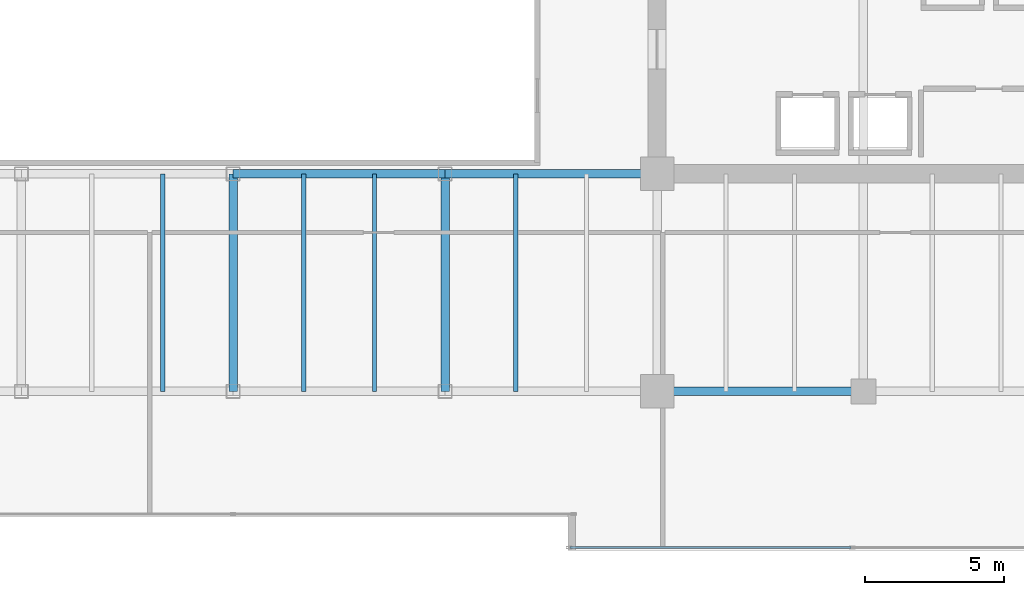
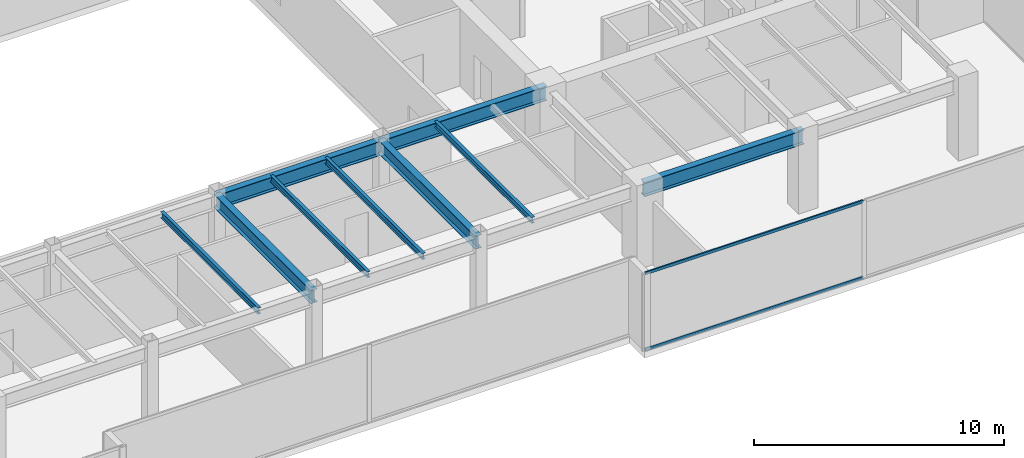
# One storey, part 11 of 30: 9 beams, 2 members, 1 element without a shape of its own.
"""IFC4 building model written with IfcOpenShell, lengths in metres."""

from ifc_helpers import new_model, si_unit, direction, frame, origin, origin_2d, place, context, subcontext, project, spatial, hollow_rectangle, i_section, extrude, source, transform, mapped, material, layer, layer_set, material_profile, profile_set, type_object, type_shapes, element, aggregate, save


model = new_model("IFC4")

# Units and contexts
model_context = context("Model", 3, precision=1e-05, world=origin(), true_north=direction((0.0, 1.0)))
body_context = subcontext(model_context, "Body", "Model", "MODEL_VIEW")
ifc_project = project(units=[si_unit("LENGTHUNIT", "METRE"), si_unit("AREAUNIT", "SQUARE_METRE"), si_unit("VOLUMEUNIT", "CUBIC_METRE"), si_unit("PLANEANGLEUNIT", "RADIAN"), si_unit("MASSUNIT", "GRAM", prefix="KILO")], contexts=[model_context])

# Site, building, storey
site_placement = place(None, origin())
site = spatial("IfcSite", under=ifc_project, at=site_placement, CompositionType="ELEMENT")
building_placement = place(site_placement, origin())
building = spatial("IfcBuilding", under=site, at=building_placement, Name="Haelvirn Gate Laboratories", CompositionType="ELEMENT")
storey_placement = place(building_placement, frame((0.0, 0.0, 121.5)))
storey = spatial("IfcBuildingStorey", under=building, at=storey_placement, Name="L29", CompositionType="ELEMENT", Elevation=121.5)

# Beams
ifc_material_1 = material(Name="Steel SM355", Category="steel")
ifc_material_profile_1 = material_profile(ifc_material_1, i_section(OverallWidth=0.300048828125, OverallDepth=0.64990234375, WebThickness=0.012939453125, FlangeThickness=0.02197265625, at=origin_2d()), Name="H-650x300x13x22")
ifc_profile_set_1 = profile_set([ifc_material_profile_1], Name="Steel SM355")
beam_type_1 = type_object("IfcBeamType", Name="BM-G-650", PredefinedType="BEAM", material=ifc_profile_set_1)
shared_shape_1 = source(origin(), body_context, "Body", "SweptSolid", [
    extrude(i_section(OverallWidth=0.300048828125, OverallDepth=0.64990234375, WebThickness=0.012939453125, FlangeThickness=0.02197265625, at=origin_2d()), origin(), (0.0, 0.0, 1.0), 7.800048828125),
])
type_shapes(beam_type_1, [shared_shape_1])
for number, where, z_axis, x_axis, name in (
    (1, (37.39990234375, 7.0, 3.465087890625), (0.0, 1.0, 0.0), (-1.0, 0.0, 0.0), "L29 Frame Girder X37.4 (7.0-14.8)"),
    (2, (45.0, 7.0, 3.465087890625), (0.0, 1.0, 0.0), (-1.0, 0.0, 0.0), "L29 Frame Girder X45.0 (7.0-14.8)"),
):
    element("IfcBeam", number, at=place(storey_placement, frame(where, z_axis=z_axis, x_axis=x_axis)), inside=storey, type_object=beam_type_1, Name=name, PredefinedType="BEAM", context=body_context, shape_type="MappedRepresentation", body=[
        mapped(shared_shape_1, transform((0.0, 0.0, 0.0), scale=1.0)),
    ])
ifc_material_profile_2 = material_profile(ifc_material_1, i_section(OverallWidth=0.300048828125, OverallDepth=0.699951171875, WebThickness=0.012939453125, FlangeThickness=0.02392578125, at=origin_2d()), Name="H-700x300x13x24")
ifc_profile_set_2 = profile_set([ifc_material_profile_2], Name="Steel SM355")
beam_type_2 = type_object("IfcBeamType", Name="BM-G-700", PredefinedType="BEAM", material=ifc_profile_set_2)
shared_shape_2 = source(origin(), body_context, "Body", "SweptSolid", [
    extrude(i_section(OverallWidth=0.300048828125, OverallDepth=0.699951171875, WebThickness=0.012939453125, FlangeThickness=0.02392578125, at=origin_2d()), origin(), (0.0, 0.0, 1.0), 7.39990234375),
])
beam_placement = place(storey_placement, frame((52.60009765625, 7.0, 3.43994140625), z_axis=(1.0, 0.0, 0.0), x_axis=(0.0, 1.0, 0.0)))
element("IfcBeam", 3, at=beam_placement, inside=storey, type_object=beam_type_2, Name="L29 Primary Girder Y7.0 (52.6-60.0)", PredefinedType="BEAM", context=body_context, shape_type="MappedRepresentation", body=[
    mapped(shared_shape_2, transform((0.0, 0.0, 0.0), scale=1.0)),
])
shared_shape_3 = source(origin(), body_context, "Body", "SweptSolid", [
    extrude(i_section(OverallWidth=0.300048828125, OverallDepth=0.699951171875, WebThickness=0.012939453125, FlangeThickness=0.02392578125, at=origin_2d()), origin(), (0.0, 0.0, 1.0), 7.60009765625),
])
type_shapes(beam_type_2, [shared_shape_2, shared_shape_3])
for number, where, z_axis, x_axis, name in (
    (4, (37.39990234375, 14.800048828125, 3.43994140625), (1.0, 0.0, 0.0), (0.0, 1.0, 0.0), "L29 Primary Girder Y14.8 (37.4-45.0)"),
    (5, (45.0, 14.800048828125, 3.43994140625), (1.0, 0.0, 0.0), (0.0, 1.0, 0.0), "L29 Primary Girder Y14.8 (45.0-52.6)"),
):
    element("IfcBeam", number, at=place(storey_placement, frame(where, z_axis=z_axis, x_axis=x_axis)), inside=storey, type_object=beam_type_2, Name=name, PredefinedType="BEAM", context=body_context, shape_type="MappedRepresentation", body=[
        mapped(shared_shape_3, transform((0.0, 0.0, 0.0), scale=1.0)),
    ])
ifc_material_profile_3 = material_profile(ifc_material_1, i_section(OverallWidth=0.14990234375, OverallDepth=0.300048828125, WebThickness=0.006591796875, FlangeThickness=0.009033203125, at=origin_2d()), Name="H-300x150x6.5x9")
ifc_profile_set_3 = profile_set([ifc_material_profile_3], Name="Steel SM355")
beam_type_3 = type_object("IfcBeamType", Name="BM-J-300", PredefinedType="JOIST", material=ifc_profile_set_3)
shared_shape_4 = source(origin(), body_context, "Body", "SweptSolid", [
    extrude(i_section(OverallWidth=0.14990234375, OverallDepth=0.300048828125, WebThickness=0.006591796875, FlangeThickness=0.009033203125, at=origin_2d()), origin(), (0.0, 0.0, 1.0), 7.800048828125),
])
type_shapes(beam_type_3, [shared_shape_4])
for number, where, z_axis, x_axis, name in (
    (6, (34.8701171875, 7.0, 3.639892578125), (0.0, 1.0, 0.0), (-1.0, 0.0, 0.0), "L29 Composite Lab Joist South X34.87"),
    (7, (39.929931640625, 7.0, 3.639892578125), (0.0, 1.0, 0.0), (-1.0, 0.0, 0.0), "L29 Composite Lab Joist South X39.93"),
    (8, (42.469970703125, 7.0, 3.639892578125), (0.0, 1.0, 0.0), (-1.0, 0.0, 0.0), "L29 Composite Lab Joist South X42.47"),
    (9, (47.530029296875, 7.0, 3.639892578125), (0.0, 1.0, 0.0), (-1.0, 0.0, 0.0), "L29 Composite Lab Joist South X47.53"),
):
    element("IfcBeam", number, at=place(storey_placement, frame(where, z_axis=z_axis, x_axis=x_axis)), inside=storey, type_object=beam_type_3, Name=name, PredefinedType="JOIST", context=body_context, shape_type="MappedRepresentation", body=[
        mapped(shared_shape_4, transform((0.0, 0.0, 0.0), scale=1.0)),
    ])

# Curtain wall, members
ifc_material_2 = material(Name="Anodised bronze unitised aluminium & triple low-E glass", Category="aluminium")
ifc_layer = layer(ifc_material_2, 0.179931640625, Name="CW-SYS-3")
ifc_layer_set = layer_set([ifc_layer], Name="Anodised bronze unitised aluminium & triple low-E glass")
curtain_wall_type = type_object("IfcCurtainWallType", Name="CW-SYS-3", PredefinedType="NOTDEFINED", material=ifc_layer_set)
curtain_wall_placement = place(storey_placement, origin())
curtain_wall = element("IfcCurtainWall", 10, at=curtain_wall_placement, inside=storey, type_object=curtain_wall_type, Name="L29 Unitised Curtain Wall CW-L29-P0-E04-1", PredefinedType="NOTDEFINED")
ifc_material_3 = material(Name="Extruded aluminium 6063-T6 (anodised bronze)", Category="aluminium")
ifc_material_profile_4 = material_profile(ifc_material_3, hollow_rectangle(XDim=0.06494140625, YDim=0.139892578125, WallThickness=0.00390625, at=origin_2d()), Name="CWT-140x65x4")
ifc_profile_set_4 = profile_set([ifc_material_profile_4], Name="Extruded aluminium 6063-T6 (anodised bronze)")
member_type = type_object("IfcMemberType", Name="CWT-T140", PredefinedType="USERDEFINED", material=ifc_profile_set_4)
shared_shape_5 = source(origin(), body_context, "Body", "SweptSolid", [
    extrude(hollow_rectangle(XDim=0.06494140625, YDim=0.139892578125, WallThickness=0.00390625, at=origin_2d()), origin(), (0.0, 0.0, 1.0), 10.08740234375),
])
type_shapes(member_type, [shared_shape_5])
member_1_placement = place(storey_placement, frame((49.47509765625, 1.39990234375, 0.032470703125), z_axis=(1.0, 0.0, 0.0), x_axis=(0.0, 1.0, 0.0)))
member_1 = element("IfcMember", 11, at=member_1_placement, type_object=member_type, Name="CW3 transom 1.1", ObjectType="TRANSOM", PredefinedType="USERDEFINED", context=body_context, shape_type="MappedRepresentation", body=[
    mapped(shared_shape_5, transform((0.0, 0.0, 0.0), scale=1.0)),
])
member_2_placement = place(storey_placement, frame((49.47509765625, 1.39990234375, 3.757568359375), z_axis=(1.0, 0.0, 0.0), x_axis=(0.0, 1.0, 0.0)))
member_2 = element("IfcMember", 12, at=member_2_placement, type_object=member_type, Name="CW3 transom 1.2", ObjectType="TRANSOM", PredefinedType="USERDEFINED", context=body_context, shape_type="MappedRepresentation", body=[
    mapped(shared_shape_5, transform((0.0, 0.0, 0.0), scale=1.0)),
])
aggregate(curtain_wall, [member_1, member_2])

save(model, "model.ifc")
